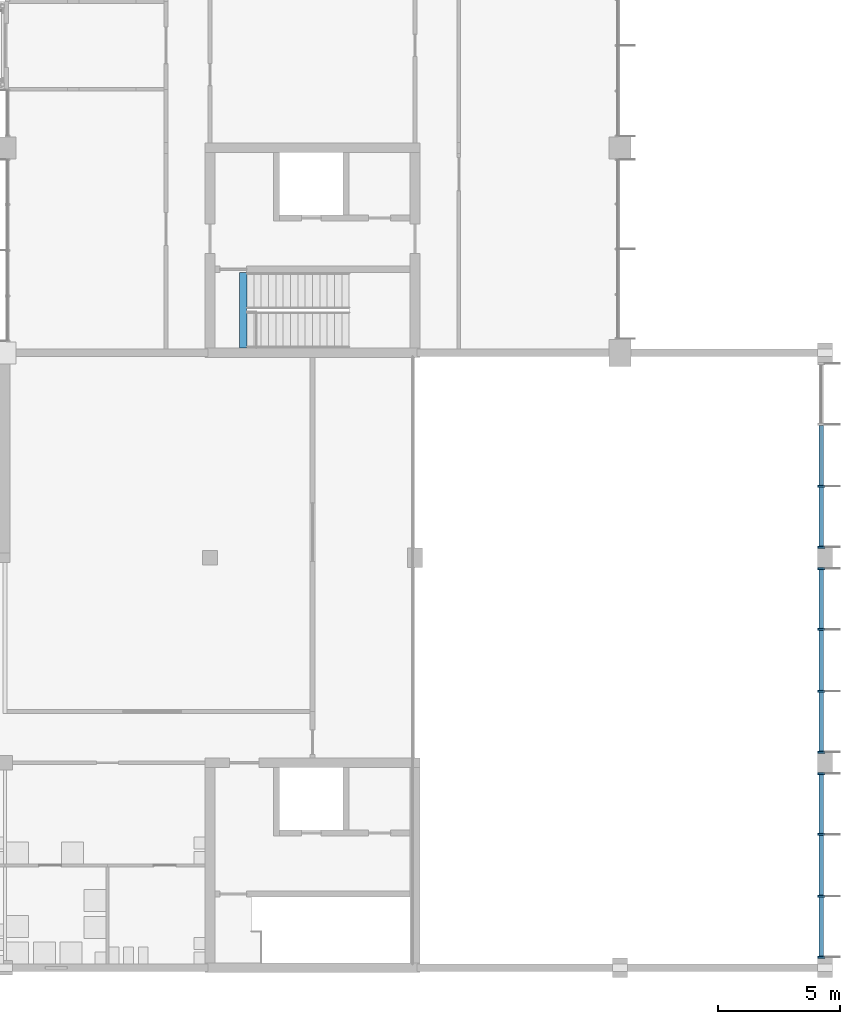
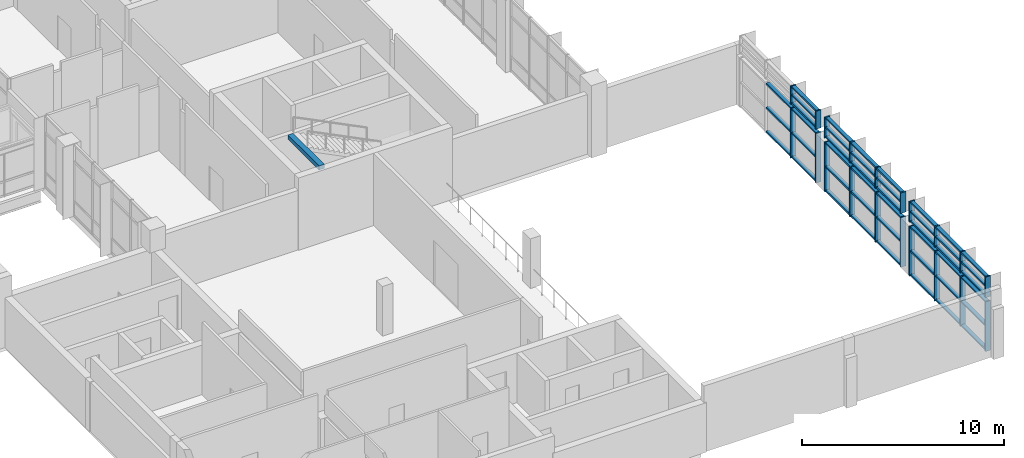
# One storey, part 16 of 70: 65 members, 1 beam, 6 elements without a shape of their own.
"""IFC4 building model written with IfcOpenShell, lengths in metres."""

from ifc_helpers import new_model, si_unit, direction, frame, origin, origin_2d, place, context, subcontext, project, spatial, rectangle, extrude, material, material_profile, profile_set, type_object, element, aggregate, save


model = new_model("IFC4")

# Units and contexts
model_context = context("Model", 3, precision=1e-05, world=origin(), true_north=direction((0.0, 1.0)))
body_context = subcontext(model_context, "Body", "Model", "MODEL_VIEW")
ifc_project = project(units=[si_unit("LENGTHUNIT", "METRE"), si_unit("AREAUNIT", "SQUARE_METRE"), si_unit("VOLUMEUNIT", "CUBIC_METRE"), si_unit("PLANEANGLEUNIT", "RADIAN"), si_unit("MASSUNIT", "GRAM", prefix="KILO")], contexts=[model_context])

# Site, building, storey
site_placement = place(None, origin())
site = spatial("IfcSite", under=ifc_project, at=site_placement, CompositionType="ELEMENT")
building_placement = place(site_placement, origin())
building = spatial("IfcBuilding", under=site, at=building_placement, Name="Hlaing Beacon Police Headquarters", CompositionType="ELEMENT")
storey_placement = place(building_placement, frame((0.0, 0.0, 5.39990234375)))
storey = spatial("IfcBuildingStorey", under=building, at=storey_placement, Name="L01", CompositionType="ELEMENT", Elevation=5.39990234375)

# Curtain wall, members
ifc_material_1 = material(Name="Aluminium frame with solar control glazing", Category="aluminium")
curtain_wall_type_1 = type_object("IfcCurtainWallType", Name="Structural glazed gable wall 7.60 x 3.00", PredefinedType="NOTDEFINED", material=ifc_material_1)
curtain_wall_1_placement = place(storey_placement, origin())
curtain_wall_1 = element("IfcCurtainWall", 1, at=curtain_wall_1_placement, inside=storey, type_object=curtain_wall_type_1, Name="ENV-CW-L01-E001", PredefinedType="NOTDEFINED")
ifc_material_2 = material(Name="Aluminium", Category="aluminium")
ifc_material_profile_1 = material_profile(ifc_material_2, rectangle(XDim=0.300048828125, YDim=0.080078125, at=origin_2d()), Name="Mullion 80x300")
ifc_profile_set_1 = profile_set([ifc_material_profile_1], Name="Aluminium")
member_type_1 = type_object("IfcMemberType", Name="Mullion 80x300", PredefinedType="MULLION", material=ifc_profile_set_1)
member_1_placement = place(storey_placement, frame((134.25, 8.840087890625, 0.0), z_axis=(0.0, 0.0, 1.0), x_axis=(-1.0, 0.0, 0.0)))
member_1 = element("IfcMember", 2, at=member_1_placement, type_object=member_type_1, Name="CW-L01-E001 mullion 1", PredefinedType="MULLION", context=body_context, shape_type="SweptSolid", body=[
    extrude(rectangle(XDim=0.300048828125, YDim=0.080078125, at=origin_2d()), origin(), (0.0, 0.0, 1.0), 3.0),
])
member_2_placement = place(storey_placement, frame((134.25, 11.333251953125, 0.0), z_axis=(0.0, 0.0, 1.0), x_axis=(-1.0, 0.0, 0.0)))
member_2 = element("IfcMember", 3, at=member_2_placement, type_object=member_type_1, Name="CW-L01-E001 mullion 2", PredefinedType="MULLION", context=body_context, shape_type="SweptSolid", body=[
    extrude(rectangle(XDim=0.300048828125, YDim=0.080078125, at=origin_2d()), origin(), (0.0, 0.0, 1.0), 3.0),
])
member_3_placement = place(storey_placement, frame((134.25, 13.86669921875, 0.0), z_axis=(0.0, 0.0, 1.0), x_axis=(-1.0, 0.0, 0.0)))
member_3 = element("IfcMember", 4, at=member_3_placement, type_object=member_type_1, Name="CW-L01-E001 mullion 3", PredefinedType="MULLION", context=body_context, shape_type="SweptSolid", body=[
    extrude(rectangle(XDim=0.300048828125, YDim=0.080078125, at=origin_2d()), origin(), (0.0, 0.0, 1.0), 3.0),
])
member_4_placement = place(storey_placement, frame((134.25, 16.360107421875, 0.0), z_axis=(0.0, 0.0, 1.0), x_axis=(-1.0, 0.0, 0.0)))
member_4 = element("IfcMember", 5, at=member_4_placement, type_object=member_type_1, Name="CW-L01-E001 mullion 4", PredefinedType="MULLION", context=body_context, shape_type="SweptSolid", body=[
    extrude(rectangle(XDim=0.300048828125, YDim=0.080078125, at=origin_2d()), origin(), (0.0, 0.0, 1.0), 3.0),
])

ifc_material_3 = material(Name="Aluminium frame with solar control glazing", Category="aluminium")
curtain_wall_type_2 = type_object("IfcCurtainWallType", Name="Structural glazed gable wall 7.60 x 1.25", PredefinedType="NOTDEFINED", material=ifc_material_3)
curtain_wall_2_placement = place(storey_placement, origin())
curtain_wall_2 = element("IfcCurtainWall", 6, at=curtain_wall_2_placement, inside=storey, type_object=curtain_wall_type_2, Name="ENV-CW-L01-E002", PredefinedType="NOTDEFINED")
member_5_placement = place(storey_placement, frame((134.25, 8.840087890625, 3.254150390625), z_axis=(0.0, 0.0, 1.0), x_axis=(-1.0, 0.0, 0.0)))
member_5 = element("IfcMember", 7, at=member_5_placement, type_object=member_type_1, Name="CW-L01-E002 mullion 1", PredefinedType="MULLION", context=body_context, shape_type="SweptSolid", body=[
    extrude(rectangle(XDim=0.300048828125, YDim=0.080078125, at=origin_2d()), origin(), (0.0, 0.0, 1.0), 1.245849609375),
])
member_6_placement = place(storey_placement, frame((134.25, 11.333251953125, 3.254150390625), z_axis=(0.0, 0.0, 1.0), x_axis=(-1.0, 0.0, 0.0)))
member_6 = element("IfcMember", 8, at=member_6_placement, type_object=member_type_1, Name="CW-L01-E002 mullion 2", PredefinedType="MULLION", context=body_context, shape_type="SweptSolid", body=[
    extrude(rectangle(XDim=0.300048828125, YDim=0.080078125, at=origin_2d()), origin(), (0.0, 0.0, 1.0), 1.245849609375),
])
member_7_placement = place(storey_placement, frame((134.25, 13.86669921875, 3.254150390625), z_axis=(0.0, 0.0, 1.0), x_axis=(-1.0, 0.0, 0.0)))
member_7 = element("IfcMember", 9, at=member_7_placement, type_object=member_type_1, Name="CW-L01-E002 mullion 3", PredefinedType="MULLION", context=body_context, shape_type="SweptSolid", body=[
    extrude(rectangle(XDim=0.300048828125, YDim=0.080078125, at=origin_2d()), origin(), (0.0, 0.0, 1.0), 1.245849609375),
])
member_8_placement = place(storey_placement, frame((134.25, 16.360107421875, 3.254150390625), z_axis=(0.0, 0.0, 1.0), x_axis=(-1.0, 0.0, 0.0)))
member_8 = element("IfcMember", 10, at=member_8_placement, type_object=member_type_1, Name="CW-L01-E002 mullion 4", PredefinedType="MULLION", context=body_context, shape_type="SweptSolid", body=[
    extrude(rectangle(XDim=0.300048828125, YDim=0.080078125, at=origin_2d()), origin(), (0.0, 0.0, 1.0), 1.245849609375),
])

curtain_wall_3_placement = place(storey_placement, origin())
curtain_wall_3 = element("IfcCurtainWall", 11, at=curtain_wall_3_placement, inside=storey, type_object=curtain_wall_type_1, Name="ENV-CW-L01-E003", PredefinedType="NOTDEFINED")
member_9_placement = place(storey_placement, frame((134.25, 17.239990234375, 0.0), z_axis=(0.0, 0.0, 1.0), x_axis=(-1.0, 0.0, 0.0)))
member_9 = element("IfcMember", 12, at=member_9_placement, type_object=member_type_1, Name="CW-L01-E003 mullion 1", PredefinedType="MULLION", context=body_context, shape_type="SweptSolid", body=[
    extrude(rectangle(XDim=0.300048828125, YDim=0.080078125, at=origin_2d()), origin(), (0.0, 0.0, 1.0), 3.0),
])
member_10_placement = place(storey_placement, frame((134.25, 19.7333984375, 0.0), z_axis=(0.0, 0.0, 1.0), x_axis=(-1.0, 0.0, 0.0)))
member_10 = element("IfcMember", 13, at=member_10_placement, type_object=member_type_1, Name="CW-L01-E003 mullion 2", PredefinedType="MULLION", context=body_context, shape_type="SweptSolid", body=[
    extrude(rectangle(XDim=0.300048828125, YDim=0.080078125, at=origin_2d()), origin(), (0.0, 0.0, 1.0), 3.0),
])
member_11_placement = place(storey_placement, frame((134.25, 22.2666015625, 0.0), z_axis=(0.0, 0.0, 1.0), x_axis=(-1.0, 0.0, 0.0)))
member_11 = element("IfcMember", 14, at=member_11_placement, type_object=member_type_1, Name="CW-L01-E003 mullion 3", PredefinedType="MULLION", context=body_context, shape_type="SweptSolid", body=[
    extrude(rectangle(XDim=0.300048828125, YDim=0.080078125, at=origin_2d()), origin(), (0.0, 0.0, 1.0), 3.0),
])
member_12_placement = place(storey_placement, frame((134.25, 24.760009765625, 0.0), z_axis=(0.0, 0.0, 1.0), x_axis=(-1.0, 0.0, 0.0)))
member_12 = element("IfcMember", 15, at=member_12_placement, type_object=member_type_1, Name="CW-L01-E003 mullion 4", PredefinedType="MULLION", context=body_context, shape_type="SweptSolid", body=[
    extrude(rectangle(XDim=0.300048828125, YDim=0.080078125, at=origin_2d()), origin(), (0.0, 0.0, 1.0), 3.0),
])

curtain_wall_4_placement = place(storey_placement, origin())
curtain_wall_4 = element("IfcCurtainWall", 16, at=curtain_wall_4_placement, inside=storey, type_object=curtain_wall_type_2, Name="ENV-CW-L01-E004", PredefinedType="NOTDEFINED")
member_13_placement = place(storey_placement, frame((134.25, 17.239990234375, 3.254150390625), z_axis=(0.0, 0.0, 1.0), x_axis=(-1.0, 0.0, 0.0)))
member_13 = element("IfcMember", 17, at=member_13_placement, type_object=member_type_1, Name="CW-L01-E004 mullion 1", PredefinedType="MULLION", context=body_context, shape_type="SweptSolid", body=[
    extrude(rectangle(XDim=0.300048828125, YDim=0.080078125, at=origin_2d()), origin(), (0.0, 0.0, 1.0), 1.245849609375),
])
member_14_placement = place(storey_placement, frame((134.25, 19.7333984375, 3.254150390625), z_axis=(0.0, 0.0, 1.0), x_axis=(-1.0, 0.0, 0.0)))
member_14 = element("IfcMember", 18, at=member_14_placement, type_object=member_type_1, Name="CW-L01-E004 mullion 2", PredefinedType="MULLION", context=body_context, shape_type="SweptSolid", body=[
    extrude(rectangle(XDim=0.300048828125, YDim=0.080078125, at=origin_2d()), origin(), (0.0, 0.0, 1.0), 1.245849609375),
])
member_15_placement = place(storey_placement, frame((134.25, 22.2666015625, 3.254150390625), z_axis=(0.0, 0.0, 1.0), x_axis=(-1.0, 0.0, 0.0)))
member_15 = element("IfcMember", 19, at=member_15_placement, type_object=member_type_1, Name="CW-L01-E004 mullion 3", PredefinedType="MULLION", context=body_context, shape_type="SweptSolid", body=[
    extrude(rectangle(XDim=0.300048828125, YDim=0.080078125, at=origin_2d()), origin(), (0.0, 0.0, 1.0), 1.245849609375),
])
member_16_placement = place(storey_placement, frame((134.25, 24.760009765625, 3.254150390625), z_axis=(0.0, 0.0, 1.0), x_axis=(-1.0, 0.0, 0.0)))
member_16 = element("IfcMember", 20, at=member_16_placement, type_object=member_type_1, Name="CW-L01-E004 mullion 4", PredefinedType="MULLION", context=body_context, shape_type="SweptSolid", body=[
    extrude(rectangle(XDim=0.300048828125, YDim=0.080078125, at=origin_2d()), origin(), (0.0, 0.0, 1.0), 1.245849609375),
])

curtain_wall_5_placement = place(storey_placement, origin())
curtain_wall_5 = element("IfcCurtainWall", 21, at=curtain_wall_5_placement, inside=storey, type_object=curtain_wall_type_1, Name="ENV-CW-L01-E005", PredefinedType="NOTDEFINED")
member_17_placement = place(storey_placement, frame((134.25, 25.639892578125, 0.0), z_axis=(0.0, 0.0, 1.0), x_axis=(-1.0, 0.0, 0.0)))
member_17 = element("IfcMember", 22, at=member_17_placement, type_object=member_type_1, Name="CW-L01-E005 mullion 1", PredefinedType="MULLION", context=body_context, shape_type="SweptSolid", body=[
    extrude(rectangle(XDim=0.300048828125, YDim=0.080078125, at=origin_2d()), origin(), (0.0, 0.0, 1.0), 3.0),
])
member_18_placement = place(storey_placement, frame((134.25, 28.13330078125, 0.0), z_axis=(0.0, 0.0, 1.0), x_axis=(-1.0, 0.0, 0.0)))
member_18 = element("IfcMember", 23, at=member_18_placement, type_object=member_type_1, Name="CW-L01-E005 mullion 2", PredefinedType="MULLION", context=body_context, shape_type="SweptSolid", body=[
    extrude(rectangle(XDim=0.300048828125, YDim=0.080078125, at=origin_2d()), origin(), (0.0, 0.0, 1.0), 3.0),
])

ifc_material_4 = material(Name="Aluminium frame with solar control glazing", Category="aluminium")
curtain_wall_type_3 = type_object("IfcCurtainWallType", Name="Structural glazed gable wall 7.60 x 1.09", PredefinedType="NOTDEFINED", material=ifc_material_4)
curtain_wall_6_placement = place(storey_placement, origin())
curtain_wall_6 = element("IfcCurtainWall", 24, at=curtain_wall_6_placement, inside=storey, type_object=curtain_wall_type_3, Name="ENV-CW-L01-E006", PredefinedType="NOTDEFINED")
member_19_placement = place(storey_placement, frame((134.25, 25.639892578125, 3.254150390625), z_axis=(0.0, 0.0, 1.0), x_axis=(-1.0, 0.0, 0.0)))
member_19 = element("IfcMember", 25, at=member_19_placement, type_object=member_type_1, Name="CW-L01-E006 mullion 1", PredefinedType="MULLION", context=body_context, shape_type="SweptSolid", body=[
    extrude(rectangle(XDim=0.300048828125, YDim=0.080078125, at=origin_2d()), origin(), (0.0, 0.0, 1.0), 1.0908203125),
])
member_20_placement = place(storey_placement, frame((134.25, 28.13330078125, 3.254150390625), z_axis=(0.0, 0.0, 1.0), x_axis=(-1.0, 0.0, 0.0)))
member_20 = element("IfcMember", 26, at=member_20_placement, type_object=member_type_1, Name="CW-L01-E006 mullion 2", PredefinedType="MULLION", context=body_context, shape_type="SweptSolid", body=[
    extrude(rectangle(XDim=0.300048828125, YDim=0.080078125, at=origin_2d()), origin(), (0.0, 0.0, 1.0), 1.0908203125),
])

# Beam
ifc_material_5 = material(Name="Concrete C40/50", Category="concrete")
ifc_material_profile_2 = material_profile(ifc_material_5, rectangle(XDim=0.300048828125, YDim=0.25, at=origin_2d()), Name="Stair arrival beam 300x250")
ifc_profile_set_2 = profile_set([ifc_material_profile_2], Name="Concrete C40/50")
beam_type = type_object("IfcBeamType", Name="Stair arrival beam 300x250", PredefinedType="BEAM", material=ifc_profile_set_2)
beam_placement = place(storey_placement, frame((110.56005859375, 33.800048828125, 4.2451171875), z_axis=(0.0, 1.0, 0.0), x_axis=(-1.0, 0.0, 0.0)))
element("IfcBeam", 27, at=beam_placement, inside=storey, type_object=beam_type, Name="Stair arrival beam ST-L", PredefinedType="BEAM", context=body_context, shape_type="SweptSolid", body=[
    extrude(rectangle(XDim=0.300048828125, YDim=0.25, at=origin_2d()), origin(), (0.0, 0.0, 1.0), 3.099853515625),
])

# Member
ifc_material_6 = material(Name="Aluminium", Category="aluminium")
ifc_material_profile_3 = material_profile(ifc_material_6, rectangle(XDim=0.199951171875, YDim=0.10009765625, at=origin_2d()), Name="Transom 200x100")
ifc_profile_set_3 = profile_set([ifc_material_profile_3], Name="Aluminium")
member_type_2 = type_object("IfcMemberType", Name="Transom 200x100", PredefinedType="USERDEFINED", material=ifc_profile_set_3)
member_21_placement = place(storey_placement, frame((134.25, 8.8798828125, 0.050048828125), z_axis=(0.0, 1.0, 0.0), x_axis=(-1.0, 0.0, 0.0)))
member_21 = element("IfcMember", 28, at=member_21_placement, type_object=member_type_2, Name="CW-L01-E001 transom 1.1", ObjectType="TRANSOM", PredefinedType="USERDEFINED", context=body_context, shape_type="SweptSolid", body=[
    extrude(rectangle(XDim=0.199951171875, YDim=0.10009765625, at=origin_2d()), origin(), (0.0, 0.0, 1.0), 2.413330078125),
])

member_22_placement = place(storey_placement, frame((134.25, 8.8798828125, 1.5), z_axis=(0.0, 1.0, 0.0), x_axis=(-1.0, 0.0, 0.0)))
member_22 = element("IfcMember", 29, at=member_22_placement, type_object=member_type_2, Name="CW-L01-E001 transom 1.2", ObjectType="TRANSOM", PredefinedType="USERDEFINED", context=body_context, shape_type="SweptSolid", body=[
    extrude(rectangle(XDim=0.199951171875, YDim=0.10009765625, at=origin_2d()), origin(), (0.0, 0.0, 1.0), 2.413330078125),
])

member_23_placement = place(storey_placement, frame((134.25, 8.8798828125, 2.9501953125), z_axis=(0.0, 1.0, 0.0), x_axis=(-1.0, 0.0, 0.0)))
member_23 = element("IfcMember", 30, at=member_23_placement, type_object=member_type_2, Name="CW-L01-E001 transom 1.3", ObjectType="TRANSOM", PredefinedType="USERDEFINED", context=body_context, shape_type="SweptSolid", body=[
    extrude(rectangle(XDim=0.199951171875, YDim=0.10009765625, at=origin_2d()), origin(), (0.0, 0.0, 1.0), 2.413330078125),
])

member_24_placement = place(storey_placement, frame((134.25, 11.373291015625, 0.050048828125), z_axis=(0.0, 1.0, 0.0), x_axis=(-1.0, 0.0, 0.0)))
member_24 = element("IfcMember", 31, at=member_24_placement, type_object=member_type_2, Name="CW-L01-E001 transom 2.1", ObjectType="TRANSOM", PredefinedType="USERDEFINED", context=body_context, shape_type="SweptSolid", body=[
    extrude(rectangle(XDim=0.199951171875, YDim=0.10009765625, at=origin_2d()), origin(), (0.0, 0.0, 1.0), 2.453369140625),
])

member_25_placement = place(storey_placement, frame((134.25, 11.373291015625, 1.5), z_axis=(0.0, 1.0, 0.0), x_axis=(-1.0, 0.0, 0.0)))
member_25 = element("IfcMember", 32, at=member_25_placement, type_object=member_type_2, Name="CW-L01-E001 transom 2.2", ObjectType="TRANSOM", PredefinedType="USERDEFINED", context=body_context, shape_type="SweptSolid", body=[
    extrude(rectangle(XDim=0.199951171875, YDim=0.10009765625, at=origin_2d()), origin(), (0.0, 0.0, 1.0), 2.453369140625),
])

member_26_placement = place(storey_placement, frame((134.25, 11.373291015625, 2.9501953125), z_axis=(0.0, 1.0, 0.0), x_axis=(-1.0, 0.0, 0.0)))
member_26 = element("IfcMember", 33, at=member_26_placement, type_object=member_type_2, Name="CW-L01-E001 transom 2.3", ObjectType="TRANSOM", PredefinedType="USERDEFINED", context=body_context, shape_type="SweptSolid", body=[
    extrude(rectangle(XDim=0.199951171875, YDim=0.10009765625, at=origin_2d()), origin(), (0.0, 0.0, 1.0), 2.453369140625),
])

member_27_placement = place(storey_placement, frame((134.25, 13.90673828125, 0.050048828125), z_axis=(0.0, 1.0, 0.0), x_axis=(-1.0, 0.0, 0.0)))
member_27 = element("IfcMember", 34, at=member_27_placement, type_object=member_type_2, Name="CW-L01-E001 transom 3.1", ObjectType="TRANSOM", PredefinedType="USERDEFINED", context=body_context, shape_type="SweptSolid", body=[
    extrude(rectangle(XDim=0.199951171875, YDim=0.10009765625, at=origin_2d()), origin(), (0.0, 0.0, 1.0), 2.413330078125),
])

member_28_placement = place(storey_placement, frame((134.25, 13.90673828125, 1.5), z_axis=(0.0, 1.0, 0.0), x_axis=(-1.0, 0.0, 0.0)))
member_28 = element("IfcMember", 35, at=member_28_placement, type_object=member_type_2, Name="CW-L01-E001 transom 3.2", ObjectType="TRANSOM", PredefinedType="USERDEFINED", context=body_context, shape_type="SweptSolid", body=[
    extrude(rectangle(XDim=0.199951171875, YDim=0.10009765625, at=origin_2d()), origin(), (0.0, 0.0, 1.0), 2.413330078125),
])

member_29_placement = place(storey_placement, frame((134.25, 13.90673828125, 2.9501953125), z_axis=(0.0, 1.0, 0.0), x_axis=(-1.0, 0.0, 0.0)))
member_29 = element("IfcMember", 36, at=member_29_placement, type_object=member_type_2, Name="CW-L01-E001 transom 3.3", ObjectType="TRANSOM", PredefinedType="USERDEFINED", context=body_context, shape_type="SweptSolid", body=[
    extrude(rectangle(XDim=0.199951171875, YDim=0.10009765625, at=origin_2d()), origin(), (0.0, 0.0, 1.0), 2.413330078125),
])

aggregate(curtain_wall_1, [member_1, member_2, member_3, member_4, member_21, member_22, member_23, member_24, member_25, member_26, member_27, member_28, member_29])

member_30_placement = place(storey_placement, frame((134.25, 8.8798828125, 3.30419921875), z_axis=(0.0, 1.0, 0.0), x_axis=(-1.0, 0.0, 0.0)))
member_30 = element("IfcMember", 37, at=member_30_placement, type_object=member_type_2, Name="CW-L01-E002 transom 1.1", ObjectType="TRANSOM", PredefinedType="USERDEFINED", context=body_context, shape_type="SweptSolid", body=[
    extrude(rectangle(XDim=0.199951171875, YDim=0.10009765625, at=origin_2d()), origin(), (0.0, 0.0, 1.0), 2.413330078125),
])

member_31_placement = place(storey_placement, frame((134.25, 8.8798828125, 3.877197265625), z_axis=(0.0, 1.0, 0.0), x_axis=(-1.0, 0.0, 0.0)))
member_31 = element("IfcMember", 38, at=member_31_placement, type_object=member_type_2, Name="CW-L01-E002 transom 1.2", ObjectType="TRANSOM", PredefinedType="USERDEFINED", context=body_context, shape_type="SweptSolid", body=[
    extrude(rectangle(XDim=0.199951171875, YDim=0.10009765625, at=origin_2d()), origin(), (0.0, 0.0, 1.0), 2.413330078125),
])

member_32_placement = place(storey_placement, frame((134.25, 8.8798828125, 4.4501953125), z_axis=(0.0, 1.0, 0.0), x_axis=(-1.0, 0.0, 0.0)))
member_32 = element("IfcMember", 39, at=member_32_placement, type_object=member_type_2, Name="CW-L01-E002 transom 1.3", ObjectType="TRANSOM", PredefinedType="USERDEFINED", context=body_context, shape_type="SweptSolid", body=[
    extrude(rectangle(XDim=0.199951171875, YDim=0.10009765625, at=origin_2d()), origin(), (0.0, 0.0, 1.0), 2.413330078125),
])

member_33_placement = place(storey_placement, frame((134.25, 11.373291015625, 3.30419921875), z_axis=(0.0, 1.0, 0.0), x_axis=(-1.0, 0.0, 0.0)))
member_33 = element("IfcMember", 40, at=member_33_placement, type_object=member_type_2, Name="CW-L01-E002 transom 2.1", ObjectType="TRANSOM", PredefinedType="USERDEFINED", context=body_context, shape_type="SweptSolid", body=[
    extrude(rectangle(XDim=0.199951171875, YDim=0.10009765625, at=origin_2d()), origin(), (0.0, 0.0, 1.0), 2.453369140625),
])

member_34_placement = place(storey_placement, frame((134.25, 11.373291015625, 3.877197265625), z_axis=(0.0, 1.0, 0.0), x_axis=(-1.0, 0.0, 0.0)))
member_34 = element("IfcMember", 41, at=member_34_placement, type_object=member_type_2, Name="CW-L01-E002 transom 2.2", ObjectType="TRANSOM", PredefinedType="USERDEFINED", context=body_context, shape_type="SweptSolid", body=[
    extrude(rectangle(XDim=0.199951171875, YDim=0.10009765625, at=origin_2d()), origin(), (0.0, 0.0, 1.0), 2.453369140625),
])

member_35_placement = place(storey_placement, frame((134.25, 11.373291015625, 4.4501953125), z_axis=(0.0, 1.0, 0.0), x_axis=(-1.0, 0.0, 0.0)))
member_35 = element("IfcMember", 42, at=member_35_placement, type_object=member_type_2, Name="CW-L01-E002 transom 2.3", ObjectType="TRANSOM", PredefinedType="USERDEFINED", context=body_context, shape_type="SweptSolid", body=[
    extrude(rectangle(XDim=0.199951171875, YDim=0.10009765625, at=origin_2d()), origin(), (0.0, 0.0, 1.0), 2.453369140625),
])

member_36_placement = place(storey_placement, frame((134.25, 13.90673828125, 3.30419921875), z_axis=(0.0, 1.0, 0.0), x_axis=(-1.0, 0.0, 0.0)))
member_36 = element("IfcMember", 43, at=member_36_placement, type_object=member_type_2, Name="CW-L01-E002 transom 3.1", ObjectType="TRANSOM", PredefinedType="USERDEFINED", context=body_context, shape_type="SweptSolid", body=[
    extrude(rectangle(XDim=0.199951171875, YDim=0.10009765625, at=origin_2d()), origin(), (0.0, 0.0, 1.0), 2.413330078125),
])

member_37_placement = place(storey_placement, frame((134.25, 13.90673828125, 3.877197265625), z_axis=(0.0, 1.0, 0.0), x_axis=(-1.0, 0.0, 0.0)))
member_37 = element("IfcMember", 44, at=member_37_placement, type_object=member_type_2, Name="CW-L01-E002 transom 3.2", ObjectType="TRANSOM", PredefinedType="USERDEFINED", context=body_context, shape_type="SweptSolid", body=[
    extrude(rectangle(XDim=0.199951171875, YDim=0.10009765625, at=origin_2d()), origin(), (0.0, 0.0, 1.0), 2.413330078125),
])

member_38_placement = place(storey_placement, frame((134.25, 13.90673828125, 4.4501953125), z_axis=(0.0, 1.0, 0.0), x_axis=(-1.0, 0.0, 0.0)))
member_38 = element("IfcMember", 45, at=member_38_placement, type_object=member_type_2, Name="CW-L01-E002 transom 3.3", ObjectType="TRANSOM", PredefinedType="USERDEFINED", context=body_context, shape_type="SweptSolid", body=[
    extrude(rectangle(XDim=0.199951171875, YDim=0.10009765625, at=origin_2d()), origin(), (0.0, 0.0, 1.0), 2.413330078125),
])

aggregate(curtain_wall_2, [member_5, member_6, member_7, member_8, member_30, member_31, member_32, member_33, member_34, member_35, member_36, member_37, member_38])

member_39_placement = place(storey_placement, frame((134.25, 17.280029296875, 0.050048828125), z_axis=(0.0, 1.0, 0.0), x_axis=(-1.0, 0.0, 0.0)))
member_39 = element("IfcMember", 46, at=member_39_placement, type_object=member_type_2, Name="CW-L01-E003 transom 1.1", ObjectType="TRANSOM", PredefinedType="USERDEFINED", context=body_context, shape_type="SweptSolid", body=[
    extrude(rectangle(XDim=0.199951171875, YDim=0.10009765625, at=origin_2d()), origin(), (0.0, 0.0, 1.0), 2.413330078125),
])

member_40_placement = place(storey_placement, frame((134.25, 17.280029296875, 1.5), z_axis=(0.0, 1.0, 0.0), x_axis=(-1.0, 0.0, 0.0)))
member_40 = element("IfcMember", 47, at=member_40_placement, type_object=member_type_2, Name="CW-L01-E003 transom 1.2", ObjectType="TRANSOM", PredefinedType="USERDEFINED", context=body_context, shape_type="SweptSolid", body=[
    extrude(rectangle(XDim=0.199951171875, YDim=0.10009765625, at=origin_2d()), origin(), (0.0, 0.0, 1.0), 2.413330078125),
])

member_41_placement = place(storey_placement, frame((134.25, 17.280029296875, 2.9501953125), z_axis=(0.0, 1.0, 0.0), x_axis=(-1.0, 0.0, 0.0)))
member_41 = element("IfcMember", 48, at=member_41_placement, type_object=member_type_2, Name="CW-L01-E003 transom 1.3", ObjectType="TRANSOM", PredefinedType="USERDEFINED", context=body_context, shape_type="SweptSolid", body=[
    extrude(rectangle(XDim=0.199951171875, YDim=0.10009765625, at=origin_2d()), origin(), (0.0, 0.0, 1.0), 2.413330078125),
])

member_42_placement = place(storey_placement, frame((134.25, 19.7734375, 0.050048828125), z_axis=(0.0, 1.0, 0.0), x_axis=(-1.0, 0.0, 0.0)))
member_42 = element("IfcMember", 49, at=member_42_placement, type_object=member_type_2, Name="CW-L01-E003 transom 2.1", ObjectType="TRANSOM", PredefinedType="USERDEFINED", context=body_context, shape_type="SweptSolid", body=[
    extrude(rectangle(XDim=0.199951171875, YDim=0.10009765625, at=origin_2d()), origin(), (0.0, 0.0, 1.0), 2.453125),
])

member_43_placement = place(storey_placement, frame((134.25, 19.7734375, 1.5), z_axis=(0.0, 1.0, 0.0), x_axis=(-1.0, 0.0, 0.0)))
member_43 = element("IfcMember", 50, at=member_43_placement, type_object=member_type_2, Name="CW-L01-E003 transom 2.2", ObjectType="TRANSOM", PredefinedType="USERDEFINED", context=body_context, shape_type="SweptSolid", body=[
    extrude(rectangle(XDim=0.199951171875, YDim=0.10009765625, at=origin_2d()), origin(), (0.0, 0.0, 1.0), 2.453125),
])

member_44_placement = place(storey_placement, frame((134.25, 19.7734375, 2.9501953125), z_axis=(0.0, 1.0, 0.0), x_axis=(-1.0, 0.0, 0.0)))
member_44 = element("IfcMember", 51, at=member_44_placement, type_object=member_type_2, Name="CW-L01-E003 transom 2.3", ObjectType="TRANSOM", PredefinedType="USERDEFINED", context=body_context, shape_type="SweptSolid", body=[
    extrude(rectangle(XDim=0.199951171875, YDim=0.10009765625, at=origin_2d()), origin(), (0.0, 0.0, 1.0), 2.453125),
])

member_45_placement = place(storey_placement, frame((134.25, 22.306640625, 0.050048828125), z_axis=(0.0, 1.0, 0.0), x_axis=(-1.0, 0.0, 0.0)))
member_45 = element("IfcMember", 52, at=member_45_placement, type_object=member_type_2, Name="CW-L01-E003 transom 3.1", ObjectType="TRANSOM", PredefinedType="USERDEFINED", context=body_context, shape_type="SweptSolid", body=[
    extrude(rectangle(XDim=0.199951171875, YDim=0.10009765625, at=origin_2d()), origin(), (0.0, 0.0, 1.0), 2.413330078125),
])

member_46_placement = place(storey_placement, frame((134.25, 22.306640625, 1.5), z_axis=(0.0, 1.0, 0.0), x_axis=(-1.0, 0.0, 0.0)))
member_46 = element("IfcMember", 53, at=member_46_placement, type_object=member_type_2, Name="CW-L01-E003 transom 3.2", ObjectType="TRANSOM", PredefinedType="USERDEFINED", context=body_context, shape_type="SweptSolid", body=[
    extrude(rectangle(XDim=0.199951171875, YDim=0.10009765625, at=origin_2d()), origin(), (0.0, 0.0, 1.0), 2.413330078125),
])

member_47_placement = place(storey_placement, frame((134.25, 22.306640625, 2.9501953125), z_axis=(0.0, 1.0, 0.0), x_axis=(-1.0, 0.0, 0.0)))
member_47 = element("IfcMember", 54, at=member_47_placement, type_object=member_type_2, Name="CW-L01-E003 transom 3.3", ObjectType="TRANSOM", PredefinedType="USERDEFINED", context=body_context, shape_type="SweptSolid", body=[
    extrude(rectangle(XDim=0.199951171875, YDim=0.10009765625, at=origin_2d()), origin(), (0.0, 0.0, 1.0), 2.413330078125),
])

aggregate(curtain_wall_3, [member_9, member_10, member_11, member_12, member_39, member_40, member_41, member_42, member_43, member_44, member_45, member_46, member_47])

member_48_placement = place(storey_placement, frame((134.25, 17.280029296875, 3.30419921875), z_axis=(0.0, 1.0, 0.0), x_axis=(-1.0, 0.0, 0.0)))
member_48 = element("IfcMember", 55, at=member_48_placement, type_object=member_type_2, Name="CW-L01-E004 transom 1.1", ObjectType="TRANSOM", PredefinedType="USERDEFINED", context=body_context, shape_type="SweptSolid", body=[
    extrude(rectangle(XDim=0.199951171875, YDim=0.10009765625, at=origin_2d()), origin(), (0.0, 0.0, 1.0), 2.413330078125),
])

member_49_placement = place(storey_placement, frame((134.25, 17.280029296875, 3.877197265625), z_axis=(0.0, 1.0, 0.0), x_axis=(-1.0, 0.0, 0.0)))
member_49 = element("IfcMember", 56, at=member_49_placement, type_object=member_type_2, Name="CW-L01-E004 transom 1.2", ObjectType="TRANSOM", PredefinedType="USERDEFINED", context=body_context, shape_type="SweptSolid", body=[
    extrude(rectangle(XDim=0.199951171875, YDim=0.10009765625, at=origin_2d()), origin(), (0.0, 0.0, 1.0), 2.413330078125),
])

member_50_placement = place(storey_placement, frame((134.25, 17.280029296875, 4.4501953125), z_axis=(0.0, 1.0, 0.0), x_axis=(-1.0, 0.0, 0.0)))
member_50 = element("IfcMember", 57, at=member_50_placement, type_object=member_type_2, Name="CW-L01-E004 transom 1.3", ObjectType="TRANSOM", PredefinedType="USERDEFINED", context=body_context, shape_type="SweptSolid", body=[
    extrude(rectangle(XDim=0.199951171875, YDim=0.10009765625, at=origin_2d()), origin(), (0.0, 0.0, 1.0), 2.413330078125),
])

member_51_placement = place(storey_placement, frame((134.25, 19.7734375, 3.30419921875), z_axis=(0.0, 1.0, 0.0), x_axis=(-1.0, 0.0, 0.0)))
member_51 = element("IfcMember", 58, at=member_51_placement, type_object=member_type_2, Name="CW-L01-E004 transom 2.1", ObjectType="TRANSOM", PredefinedType="USERDEFINED", context=body_context, shape_type="SweptSolid", body=[
    extrude(rectangle(XDim=0.199951171875, YDim=0.10009765625, at=origin_2d()), origin(), (0.0, 0.0, 1.0), 2.453125),
])

member_52_placement = place(storey_placement, frame((134.25, 19.7734375, 3.877197265625), z_axis=(0.0, 1.0, 0.0), x_axis=(-1.0, 0.0, 0.0)))
member_52 = element("IfcMember", 59, at=member_52_placement, type_object=member_type_2, Name="CW-L01-E004 transom 2.2", ObjectType="TRANSOM", PredefinedType="USERDEFINED", context=body_context, shape_type="SweptSolid", body=[
    extrude(rectangle(XDim=0.199951171875, YDim=0.10009765625, at=origin_2d()), origin(), (0.0, 0.0, 1.0), 2.453125),
])

member_53_placement = place(storey_placement, frame((134.25, 19.7734375, 4.4501953125), z_axis=(0.0, 1.0, 0.0), x_axis=(-1.0, 0.0, 0.0)))
member_53 = element("IfcMember", 60, at=member_53_placement, type_object=member_type_2, Name="CW-L01-E004 transom 2.3", ObjectType="TRANSOM", PredefinedType="USERDEFINED", context=body_context, shape_type="SweptSolid", body=[
    extrude(rectangle(XDim=0.199951171875, YDim=0.10009765625, at=origin_2d()), origin(), (0.0, 0.0, 1.0), 2.453125),
])

member_54_placement = place(storey_placement, frame((134.25, 22.306640625, 3.30419921875), z_axis=(0.0, 1.0, 0.0), x_axis=(-1.0, 0.0, 0.0)))
member_54 = element("IfcMember", 61, at=member_54_placement, type_object=member_type_2, Name="CW-L01-E004 transom 3.1", ObjectType="TRANSOM", PredefinedType="USERDEFINED", context=body_context, shape_type="SweptSolid", body=[
    extrude(rectangle(XDim=0.199951171875, YDim=0.10009765625, at=origin_2d()), origin(), (0.0, 0.0, 1.0), 2.413330078125),
])

member_55_placement = place(storey_placement, frame((134.25, 22.306640625, 3.877197265625), z_axis=(0.0, 1.0, 0.0), x_axis=(-1.0, 0.0, 0.0)))
member_55 = element("IfcMember", 62, at=member_55_placement, type_object=member_type_2, Name="CW-L01-E004 transom 3.2", ObjectType="TRANSOM", PredefinedType="USERDEFINED", context=body_context, shape_type="SweptSolid", body=[
    extrude(rectangle(XDim=0.199951171875, YDim=0.10009765625, at=origin_2d()), origin(), (0.0, 0.0, 1.0), 2.413330078125),
])

member_56_placement = place(storey_placement, frame((134.25, 22.306640625, 4.4501953125), z_axis=(0.0, 1.0, 0.0), x_axis=(-1.0, 0.0, 0.0)))
member_56 = element("IfcMember", 63, at=member_56_placement, type_object=member_type_2, Name="CW-L01-E004 transom 3.3", ObjectType="TRANSOM", PredefinedType="USERDEFINED", context=body_context, shape_type="SweptSolid", body=[
    extrude(rectangle(XDim=0.199951171875, YDim=0.10009765625, at=origin_2d()), origin(), (0.0, 0.0, 1.0), 2.413330078125),
])

aggregate(curtain_wall_4, [member_13, member_14, member_15, member_16, member_48, member_49, member_50, member_51, member_52, member_53, member_54, member_55, member_56])

member_57_placement = place(storey_placement, frame((134.25, 25.679931640625, 0.050048828125), z_axis=(0.0, 1.0, 0.0), x_axis=(-1.0, 0.0, 0.0)))
member_57 = element("IfcMember", 64, at=member_57_placement, type_object=member_type_2, Name="CW-L01-E005 transom 1.1", ObjectType="TRANSOM", PredefinedType="USERDEFINED", context=body_context, shape_type="SweptSolid", body=[
    extrude(rectangle(XDim=0.199951171875, YDim=0.10009765625, at=origin_2d()), origin(), (0.0, 0.0, 1.0), 2.413330078125),
])

member_58_placement = place(storey_placement, frame((134.25, 25.679931640625, 1.5), z_axis=(0.0, 1.0, 0.0), x_axis=(-1.0, 0.0, 0.0)))
member_58 = element("IfcMember", 65, at=member_58_placement, type_object=member_type_2, Name="CW-L01-E005 transom 1.2", ObjectType="TRANSOM", PredefinedType="USERDEFINED", context=body_context, shape_type="SweptSolid", body=[
    extrude(rectangle(XDim=0.199951171875, YDim=0.10009765625, at=origin_2d()), origin(), (0.0, 0.0, 1.0), 2.413330078125),
])

member_59_placement = place(storey_placement, frame((134.25, 25.679931640625, 2.9501953125), z_axis=(0.0, 1.0, 0.0), x_axis=(-1.0, 0.0, 0.0)))
member_59 = element("IfcMember", 66, at=member_59_placement, type_object=member_type_2, Name="CW-L01-E005 transom 1.3", ObjectType="TRANSOM", PredefinedType="USERDEFINED", context=body_context, shape_type="SweptSolid", body=[
    extrude(rectangle(XDim=0.199951171875, YDim=0.10009765625, at=origin_2d()), origin(), (0.0, 0.0, 1.0), 2.413330078125),
])

member_60_placement = place(storey_placement, frame((134.25, 28.17333984375, 0.050048828125), z_axis=(0.0, 1.0, 0.0), x_axis=(-1.0, 0.0, 0.0)))
member_60 = element("IfcMember", 67, at=member_60_placement, type_object=member_type_2, Name="CW-L01-E005 transom 2.1", ObjectType="TRANSOM", PredefinedType="USERDEFINED", context=body_context, shape_type="SweptSolid", body=[
    extrude(rectangle(XDim=0.199951171875, YDim=0.10009765625, at=origin_2d()), origin(), (0.0, 0.0, 1.0), 2.453369140625),
])

member_61_placement = place(storey_placement, frame((134.25, 28.17333984375, 1.5), z_axis=(0.0, 1.0, 0.0), x_axis=(-1.0, 0.0, 0.0)))
member_61 = element("IfcMember", 68, at=member_61_placement, type_object=member_type_2, Name="CW-L01-E005 transom 2.2", ObjectType="TRANSOM", PredefinedType="USERDEFINED", context=body_context, shape_type="SweptSolid", body=[
    extrude(rectangle(XDim=0.199951171875, YDim=0.10009765625, at=origin_2d()), origin(), (0.0, 0.0, 1.0), 2.453369140625),
])

member_62_placement = place(storey_placement, frame((134.25, 28.17333984375, 2.9501953125), z_axis=(0.0, 1.0, 0.0), x_axis=(-1.0, 0.0, 0.0)))
member_62 = element("IfcMember", 69, at=member_62_placement, type_object=member_type_2, Name="CW-L01-E005 transom 2.3", ObjectType="TRANSOM", PredefinedType="USERDEFINED", context=body_context, shape_type="SweptSolid", body=[
    extrude(rectangle(XDim=0.199951171875, YDim=0.10009765625, at=origin_2d()), origin(), (0.0, 0.0, 1.0), 2.453369140625),
])

aggregate(curtain_wall_5, [member_17, member_18, member_57, member_58, member_59, member_60, member_61, member_62])

member_63_placement = place(storey_placement, frame((134.25, 25.679931640625, 3.30419921875), z_axis=(0.0, 1.0, 0.0), x_axis=(-1.0, 0.0, 0.0)))
member_63 = element("IfcMember", 70, at=member_63_placement, type_object=member_type_2, Name="CW-L01-E006 transom 1.1", ObjectType="TRANSOM", PredefinedType="USERDEFINED", context=body_context, shape_type="SweptSolid", body=[
    extrude(rectangle(XDim=0.199951171875, YDim=0.10009765625, at=origin_2d()), origin(), (0.0, 0.0, 1.0), 2.413330078125),
])

member_64_placement = place(storey_placement, frame((134.25, 25.679931640625, 3.799072265625), z_axis=(0.0, 1.0, 0.0), x_axis=(-1.0, 0.0, 0.0)))
member_64 = element("IfcMember", 71, at=member_64_placement, type_object=member_type_2, Name="CW-L01-E006 transom 1.2", ObjectType="TRANSOM", PredefinedType="USERDEFINED", context=body_context, shape_type="SweptSolid", body=[
    extrude(rectangle(XDim=0.199951171875, YDim=0.10009765625, at=origin_2d()), origin(), (0.0, 0.0, 1.0), 2.413330078125),
])

member_65_placement = place(storey_placement, frame((134.25, 25.679931640625, 4.294921875), z_axis=(0.0, 1.0, 0.0), x_axis=(-1.0, 0.0, 0.0)))
member_65 = element("IfcMember", 72, at=member_65_placement, type_object=member_type_2, Name="CW-L01-E006 transom 1.3", ObjectType="TRANSOM", PredefinedType="USERDEFINED", context=body_context, shape_type="SweptSolid", body=[
    extrude(rectangle(XDim=0.199951171875, YDim=0.10009765625, at=origin_2d()), origin(), (0.0, 0.0, 1.0), 2.413330078125),
])

aggregate(curtain_wall_6, [member_19, member_20, member_63, member_64, member_65])

save(model, "model.ifc")
